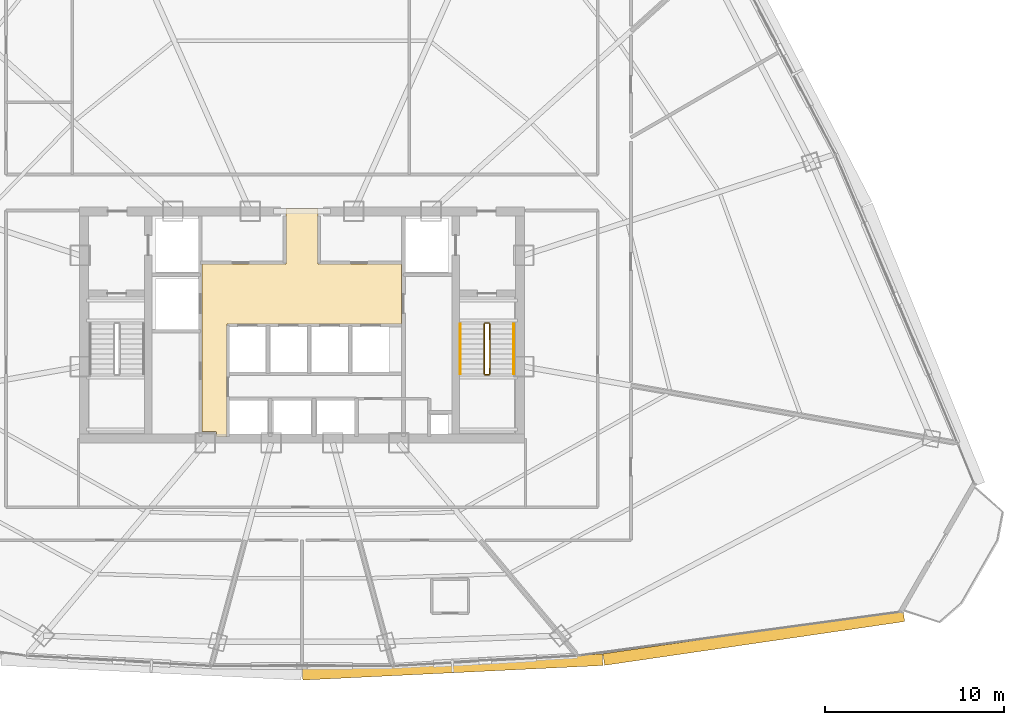
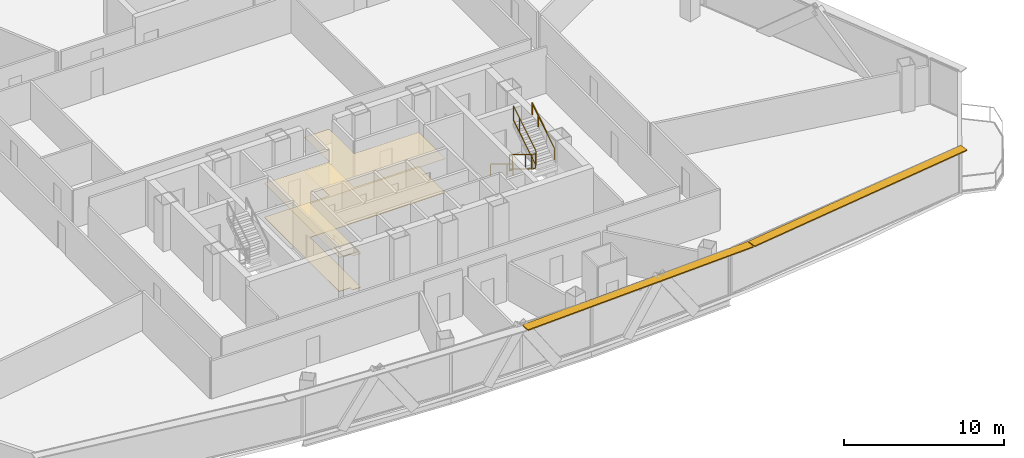
# One storey, part 34 of 36: 6 railings, 2 coverings, 2 shading devices.
"""IFC4 building model written with IfcOpenShell, lengths in metres."""

from ifc_helpers import new_model, si_unit, direction, frame, origin, origin_2d, place, context, subcontext, project, spatial, polyline, rectangle, outline, extrude, source, transform, mapped, material, layer, layer_set, type_object, element, save


model = new_model("IFC4")

# Units and contexts
model_context = context("Model", 3, precision=1e-05, world=origin(), true_north=direction((0.0, 1.0)))
body_context = subcontext(model_context, "Body", "Model", "MODEL_VIEW")
ifc_project = project(units=[si_unit("LENGTHUNIT", "METRE"), si_unit("AREAUNIT", "SQUARE_METRE"), si_unit("VOLUMEUNIT", "CUBIC_METRE"), si_unit("PLANEANGLEUNIT", "RADIAN"), si_unit("MASSUNIT", "GRAM", prefix="KILO"), si_unit("THERMODYNAMICTEMPERATUREUNIT", "KELVIN"), si_unit("POWERUNIT", "WATT")], contexts=[model_context])

# Site, building, storey
site_placement = place(None, origin())
site = spatial("IfcSite", under=ifc_project, at=site_placement, CompositionType="ELEMENT")
building_placement = place(site_placement, origin())
building = spatial("IfcBuilding", under=site, at=building_placement, Name="Yunzhuo Pagoda Commons", CompositionType="ELEMENT")
storey_placement = place(building_placement, frame((0.0, 0.0, 211.360107421875)))
storey = spatial("IfcBuildingStorey", under=building, at=storey_placement, Name="L53", CompositionType="ELEMENT", Elevation=211.360107421875)

# Coverings
ifc_material_1 = material(Name="Perforated gypsum acoustic ceiling tile")
ifc_layer_1 = layer(ifc_material_1, 0.030029296875)
ifc_layer_set_1 = layer_set([ifc_layer_1], Name="Perforated gypsum acoustic ceiling tile")
covering_type_1 = type_object("IfcCoveringType", Name="COV-CL2 Ceiling 30", PredefinedType="CEILING", material=ifc_layer_set_1)
covering_1_placement = place(storey_placement, frame((0.0, 0.0, 2.58984375)))
element("IfcCovering", 1, at=covering_1_placement, inside=storey, type_object=covering_type_1, Name="L53 lift lobby acoustic ceiling", PredefinedType="CEILING", context=body_context, shape_type="SweptSolid", body=[
    extrude(outline(polyline([(43.207763671875, 27.85009765625), (43.201904296875, 27.864013671875), (43.187744140625, 27.8701171875), (42.39990234375, 27.8701171875), (42.39990234375, 33.89990234375), (42.39990234375, 37.25), (47.10009765625, 37.25), (47.10009765625, 40.35009765625), (48.89990234375, 40.35009765625), (48.89990234375, 37.25), (53.580078125, 37.25), (53.580078125, 33.89990234375), (43.820068359375, 33.89990234375), (43.820068359375, 27.60009765625), (43.207763671875, 27.60009765625), (43.207763671875, 27.85009765625)])), origin(), (0.0, 0.0, 1.0), 0.030029296875),
])
ifc_material_2 = material(Name="Porcelain ceramic floor tile")
ifc_layer_2 = layer(ifc_material_2, 0.02001953125)
ifc_layer_set_2 = layer_set([ifc_layer_2], Name="Porcelain ceramic floor tile")
covering_type_2 = type_object("IfcCoveringType", Name="COV-FL1 Flooring 20", PredefinedType="FLOORING", material=ifc_layer_set_2)
covering_2_placement = place(storey_placement, origin())
element("IfcCovering", 2, at=covering_2_placement, inside=storey, type_object=covering_type_2, Name="L53 lift lobby flooring", PredefinedType="FLOORING", context=body_context, shape_type="SweptSolid", body=[
    extrude(outline(polyline([(43.207763671875, 27.85009765625), (43.201904296875, 27.864013671875), (43.187744140625, 27.8701171875), (42.39990234375, 27.8701171875), (42.39990234375, 33.89990234375), (42.39990234375, 37.25), (47.10009765625, 37.25), (47.10009765625, 40.35009765625), (48.89990234375, 40.35009765625), (48.89990234375, 37.25), (53.580078125, 37.25), (53.580078125, 33.89990234375), (43.820068359375, 33.89990234375), (43.820068359375, 27.60009765625), (43.207763671875, 27.60009765625), (43.207763671875, 27.85009765625)])), origin(), (0.0, 0.0, 1.0), 0.019775390625),
])

# Railings
ifc_material_3 = material(Name="Anodized aluminium 6063-T6", Category="aluminium")
railing_type_1 = type_object("IfcRailingType", Name="GR-ST2 Stair Well Guardrail 1160", PredefinedType="GUARDRAIL", material=ifc_material_3)
railing_1_placement = place(storey_placement, frame((58.199951171875, 33.89990234375, 0.172607421875)))
element("IfcRailing", 3, at=railing_1_placement, inside=storey, type_object=railing_type_1, Name="L53 ST2 stair guard 1", PredefinedType="GUARDRAIL", context=body_context, shape_type="SweptSolid", body=[
    extrude(rectangle(XDim=0.048095703125, YDim=0.048095703125, at=origin_2d()), frame((0.0, 0.0, 1.1259765625), z_axis=(0.0, -0.851069175582, 0.525053576669), x_axis=(1.0, 0.0, 0.0)), (0.0, 0.0, 1.0), 3.289794921875),
    extrude(rectangle(XDim=0.048095703125, YDim=0.048095703125, at=origin_2d()), frame((0.0, 0.0, 0.02392578125), z_axis=(0.0, -0.851069175582, 0.525053576669), x_axis=(1.0, 0.0, 0.0)), (0.0, 0.0, 1.0), 3.289794921875),
    extrude(rectangle(XDim=0.0419921875, YDim=0.0419921875, at=origin_2d()), origin(), (0.0, 0.0, 1.0), 1.101806640625),
    extrude(rectangle(XDim=0.0419921875, YDim=0.0419921875, at=origin_2d()), frame((0.0, -2.04248046875, 1.260009765625)), (0.0, 0.0, 1.0), 1.101806640625),
    extrude(rectangle(XDim=0.0419921875, YDim=0.0419921875, at=origin_2d()), frame((0.0, -2.7998046875, 1.727294921875)), (0.0, 0.0, 1.0), 1.101806640625),
])
railing_2_placement = place(storey_placement, frame((58.25, 31.050048828125, 1.89990234375)))
element("IfcRailing", 4, at=railing_2_placement, inside=storey, type_object=railing_type_1, Name="L53 ST2 stair guard 2", PredefinedType="GUARDRAIL", context=body_context, shape_type="SweptSolid", body=[
    extrude(rectangle(XDim=0.048095703125, YDim=0.048095703125, at=origin_2d()), frame((0.0, 0.0, 1.1259765625), z_axis=(1.0, 0.0, 0.0), x_axis=(0.0, 1.0, 0.0)), (0.0, 0.0, 1.0), 0.199951171875),
    extrude(rectangle(XDim=0.048095703125, YDim=0.048095703125, at=origin_2d()), frame((0.0, 0.0, 0.02392578125), z_axis=(1.0, 0.0, 0.0), x_axis=(0.0, 1.0, 0.0)), (0.0, 0.0, 1.0), 0.199951171875),
    extrude(rectangle(XDim=0.0419921875, YDim=0.0419921875, at=origin_2d()), origin(), (0.0, 0.0, 1.0), 1.101806640625),
    extrude(rectangle(XDim=0.0419921875, YDim=0.0419921875, at=origin_2d()), frame((0.199951171875, 0.0, 0.0)), (0.0, 0.0, 1.0), 1.101806640625),
])
railing_3_placement = place(storey_placement, frame((58.5, 31.10009765625, 2.072509765625)))
element("IfcRailing", 5, at=railing_3_placement, inside=storey, type_object=railing_type_1, Name="L53 ST2 stair guard 3", PredefinedType="GUARDRAIL", context=body_context, shape_type="SweptSolid", body=[
    extrude(rectangle(XDim=0.048095703125, YDim=0.048095703125, at=origin_2d()), frame((0.0, 0.0, 1.1259765625), z_axis=(0.0, 0.851069175582, 0.525053576669), x_axis=(-1.0, 0.0, 0.0)), (0.0, 0.0, 1.0), 3.289794921875),
    extrude(rectangle(XDim=0.048095703125, YDim=0.048095703125, at=origin_2d()), frame((0.0, 0.0, 0.02392578125), z_axis=(0.0, 0.851069175582, 0.525053576669), x_axis=(-1.0, 0.0, 0.0)), (0.0, 0.0, 1.0), 3.289794921875),
    extrude(rectangle(XDim=0.0419921875, YDim=0.0419921875, at=origin_2d()), origin(), (0.0, 0.0, 1.0), 1.101806640625),
    extrude(rectangle(XDim=0.0419921875, YDim=0.0419921875, at=origin_2d()), frame((0.0, 2.04248046875, 1.260009765625)), (0.0, 0.0, 1.0), 1.101806640625),
    extrude(rectangle(XDim=0.0419921875, YDim=0.0419921875, at=origin_2d()), frame((0.0, 2.7998046875, 1.727294921875)), (0.0, 0.0, 1.0), 1.101806640625),
])
railing_4_placement = place(storey_placement, frame((58.25, 33.949951171875, 0.0)))
element("IfcRailing", 6, at=railing_4_placement, inside=storey, type_object=railing_type_1, Name="L53 ST2 stair guard 4", PredefinedType="GUARDRAIL", context=body_context, shape_type="SweptSolid", body=[
    extrude(rectangle(XDim=0.048095703125, YDim=0.048095703125, at=origin_2d()), frame((0.0, 0.0, 1.1259765625), z_axis=(1.0, 0.0, 0.0), x_axis=(0.0, 1.0, 0.0)), (0.0, 0.0, 1.0), 0.199951171875),
    extrude(rectangle(XDim=0.048095703125, YDim=0.048095703125, at=origin_2d()), frame((0.0, 0.0, 0.02392578125), z_axis=(1.0, 0.0, 0.0), x_axis=(0.0, 1.0, 0.0)), (0.0, 0.0, 1.0), 0.199951171875),
    extrude(rectangle(XDim=0.0419921875, YDim=0.0419921875, at=origin_2d()), origin(), (0.0, 0.0, 1.0), 1.101806640625),
    extrude(rectangle(XDim=0.0419921875, YDim=0.0419921875, at=origin_2d()), frame((0.199951171875, 0.0, 0.0)), (0.0, 0.0, 1.0), 1.101806640625),
])
railing_type_2 = type_object("IfcRailingType", Name="HR-ST2 Stair Handrail 900", PredefinedType="HANDRAIL", material=ifc_material_3)
railing_5_placement = place(storey_placement, frame((56.85009765625, 33.89990234375, 0.172607421875)))
element("IfcRailing", 7, at=railing_5_placement, inside=storey, type_object=railing_type_2, Name="L53 ST2 stair handrail 1", PredefinedType="HANDRAIL", context=body_context, shape_type="SweptSolid", body=[
    extrude(rectangle(XDim=0.048095703125, YDim=0.048095703125, at=origin_2d()), frame((0.0, 0.0, 0.8759765625), z_axis=(0.0, -0.851069175582, 0.525053576669), x_axis=(1.0, 0.0, 0.0)), (0.0, 0.0, 1.0), 3.289794921875),
    extrude(rectangle(XDim=0.0419921875, YDim=0.0419921875, at=origin_2d()), origin(), (0.0, 0.0, 1.0), 0.851806640625),
    extrude(rectangle(XDim=0.0419921875, YDim=0.0419921875, at=origin_2d()), frame((0.0, -2.04248046875, 1.260009765625)), (0.0, 0.0, 1.0), 0.851806640625),
    extrude(rectangle(XDim=0.0419921875, YDim=0.0419921875, at=origin_2d()), frame((0.0, -2.7998046875, 1.727294921875)), (0.0, 0.0, 1.0), 0.851806640625),
])
railing_6_placement = place(storey_placement, frame((59.85009765625, 31.10009765625, 2.072509765625)))
element("IfcRailing", 8, at=railing_6_placement, inside=storey, type_object=railing_type_2, Name="L53 ST2 stair handrail 2", PredefinedType="HANDRAIL", context=body_context, shape_type="SweptSolid", body=[
    extrude(rectangle(XDim=0.048095703125, YDim=0.048095703125, at=origin_2d()), frame((0.0, 0.0, 0.8759765625), z_axis=(0.0, 0.851069175582, 0.525053576669), x_axis=(-1.0, 0.0, 0.0)), (0.0, 0.0, 1.0), 3.289794921875),
    extrude(rectangle(XDim=0.0419921875, YDim=0.0419921875, at=origin_2d()), origin(), (0.0, 0.0, 1.0), 0.851806640625),
    extrude(rectangle(XDim=0.0419921875, YDim=0.0419921875, at=origin_2d()), frame((0.0, 2.04248046875, 1.260009765625)), (0.0, 0.0, 1.0), 0.851806640625),
    extrude(rectangle(XDim=0.0419921875, YDim=0.0419921875, at=origin_2d()), frame((0.0, 2.7998046875, 1.727294921875)), (0.0, 0.0, 1.0), 0.851806640625),
])

# Shading devices
ifc_layer_3 = layer(ifc_material_3, 0.080078125)
ifc_layer_set_3 = layer_set([ifc_layer_3], Name="Anodized aluminium 6063-T6")
shading_device_type = type_object("IfcShadingDeviceType", Name="SH-SUN1 Pagoda Horizontal Sunshade Eave 650", PredefinedType="USERDEFINED", material=ifc_layer_set_3)
shared_shape_1 = source(origin(), body_context, "Body", "SweptSolid", [
    extrude(rectangle(XDim=16.96484375, YDim=0.64990234375, at=origin_2d()), origin(), (0.0, 0.0, 1.0), 0.080078125),
])
shading_device_1_placement = place(storey_placement, frame((73.2744140625, 16.34912109375, 3.4599609375), z_axis=(0.0, 0.0, 1.0), x_axis=(0.989510666697, 0.144459823108, 0.0)))
element("IfcShadingDevice", 9, at=shading_device_1_placement, inside=storey, type_object=shading_device_type, Name="L53 horizontal pagoda sunshade eave F1.4", ObjectType="SUNSHADE", PredefinedType="USERDEFINED", context=body_context, shape_type="MappedRepresentation", body=[
    mapped(shared_shape_1, transform((0.0, 0.0, 0.0), scale=1.0)),
])
shared_shape_2 = source(origin(), body_context, "Body", "SweptSolid", [
    extrude(rectangle(XDim=16.806396484375, YDim=0.64990234375, at=origin_2d()), origin(), (0.0, 0.0, 1.0), 0.080078125),
])
shading_device_2_placement = place(storey_placement, frame((56.4248046875, 14.70947265625, 3.4599609375), z_axis=(0.0, 0.0, 1.0), x_axis=(0.998818043775, 0.04860571396, 0.0)))
element("IfcShadingDevice", 10, at=shading_device_2_placement, inside=storey, type_object=shading_device_type, Name="L53 horizontal pagoda sunshade eave F1.3", ObjectType="SUNSHADE", PredefinedType="USERDEFINED", context=body_context, shape_type="MappedRepresentation", body=[
    mapped(shared_shape_2, transform((0.0, 0.0, 0.0), scale=1.0)),
])

save(model, "model.ifc")
